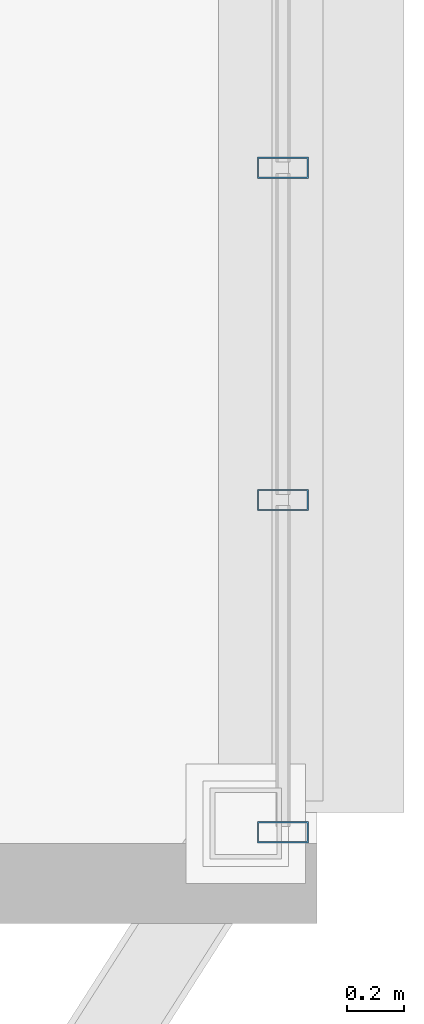
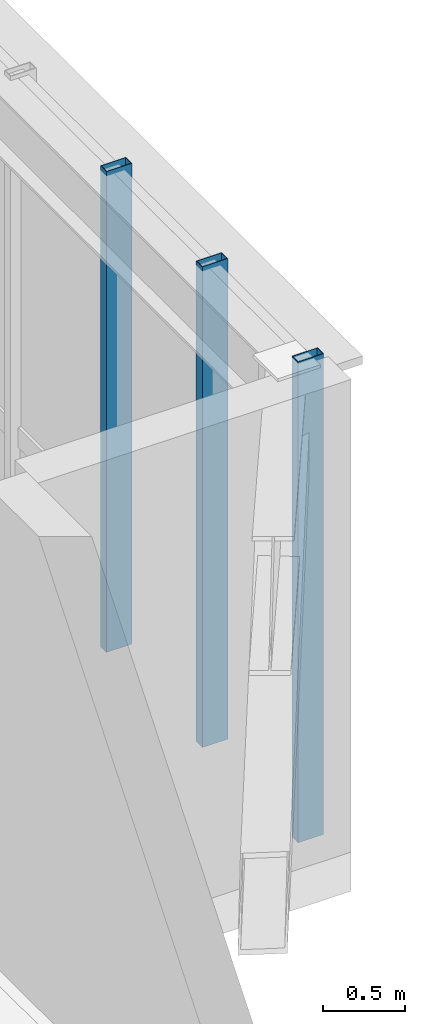
# One storey, part 7 of 18: 3 members, 1 element without a shape of its own.
"""IFC4 building model written with IfcOpenShell, lengths in metres."""

from ifc_helpers import new_model, si_unit, direction, frame, origin, origin_2d, place, context, subcontext, project, spatial, hollow_rectangle, extrude, material, material_profile, profile_set, type_object, element, aggregate, save


model = new_model("IFC4")

# Units and contexts
model_context = context("Model", 3, precision=1e-05, world=origin(), true_north=direction((0.0, 1.0)))
body_context = subcontext(model_context, "Body", "Model", "MODEL_VIEW")
ifc_project = project(units=[si_unit("LENGTHUNIT", "METRE"), si_unit("AREAUNIT", "SQUARE_METRE"), si_unit("VOLUMEUNIT", "CUBIC_METRE"), si_unit("PLANEANGLEUNIT", "RADIAN"), si_unit("MASSUNIT", "GRAM", prefix="KILO")], contexts=[model_context])

# Site, building, storey
site_placement = place(None, origin())
site = spatial("IfcSite", under=ifc_project, at=site_placement, CompositionType="ELEMENT")
building_placement = place(site_placement, origin())
building = spatial("IfcBuilding", under=site, at=building_placement, Name="Zulverin Broadcast Headquarters", CompositionType="ELEMENT")
storey_placement = place(building_placement, frame((0.0, 0.0, 225.0)))
storey = spatial("IfcBuildingStorey", under=building, at=storey_placement, Name="L57", CompositionType="ELEMENT", Elevation=225.0)

# Curtain wall, members
ifc_material_1 = material(Name="Acoustic triple-glazed studio box curtain wall", Category="aluminium")
curtain_wall_type = type_object("IfcCurtainWallType", Name="CW-SBOX", PredefinedType="USERDEFINED", material=ifc_material_1)
curtain_wall_placement = place(storey_placement, origin())
curtain_wall = element("IfcCurtainWall", 1, at=curtain_wall_placement, inside=storey, type_object=curtain_wall_type, Name="L57 Unitised Curtain Wall CW-L57-SBOX_SKY2_E-F", ObjectType="UNITISED CURTAIN WALL", PredefinedType="USERDEFINED")
ifc_material_2 = material(Name="Anodized pale-metal aluminium alloy 6063-T6", Category="aluminium")
ifc_material_profile = material_profile(ifc_material_2, hollow_rectangle(XDim=0.074951171875, YDim=0.179931640625, WallThickness=0.0048828125, at=origin_2d()), Name="Anodized pale-metal aluminium alloy 6063-T6", Category="aluminium")
ifc_profile_set = profile_set([ifc_material_profile], Name="Anodized pale-metal aluminium alloy 6063-T6")
member_type = type_object("IfcMemberType", Name="CW-MUL-180", PredefinedType="MULLION", material=ifc_profile_set)
member_1_placement = place(storey_placement, frame((67.580078125, 22.31005859375, -0.030029296875), z_axis=(0.0, 0.0, 1.0), x_axis=(0.0, 1.0, 0.0)))
member_1 = element("IfcMember", 2, at=member_1_placement, type_object=member_type, Name="CW-L57-SBOX_SKY2_E-F Mullion 00", PredefinedType="MULLION", context=body_context, shape_type="SweptSolid", body=[
    extrude(hollow_rectangle(XDim=0.074951171875, YDim=0.179931640625, WallThickness=0.0048828125, at=origin_2d()), origin(), (0.0, 0.0, 1.0), 3.570068359375),
])
member_2_placement = place(storey_placement, frame((67.580078125, 23.4755859375, -0.030029296875), z_axis=(0.0, 0.0, 1.0), x_axis=(0.0, 1.0, 0.0)))
member_2 = element("IfcMember", 3, at=member_2_placement, type_object=member_type, Name="CW-L57-SBOX_SKY2_E-F Mullion 01", PredefinedType="MULLION", context=body_context, shape_type="SweptSolid", body=[
    extrude(hollow_rectangle(XDim=0.074951171875, YDim=0.179931640625, WallThickness=0.0048828125, at=origin_2d()), origin(), (0.0, 0.0, 1.0), 3.570068359375),
])
member_3_placement = place(storey_placement, frame((67.580078125, 24.641357421875, -0.030029296875), z_axis=(0.0, 0.0, 1.0), x_axis=(0.0, 1.0, 0.0)))
member_3 = element("IfcMember", 4, at=member_3_placement, type_object=member_type, Name="CW-L57-SBOX_SKY2_E-F Mullion 02", PredefinedType="MULLION", context=body_context, shape_type="SweptSolid", body=[
    extrude(hollow_rectangle(XDim=0.074951171875, YDim=0.179931640625, WallThickness=0.0048828125, at=origin_2d()), origin(), (0.0, 0.0, 1.0), 3.570068359375),
])
aggregate(curtain_wall, [member_1, member_2, member_3])

save(model, "model.ifc")
